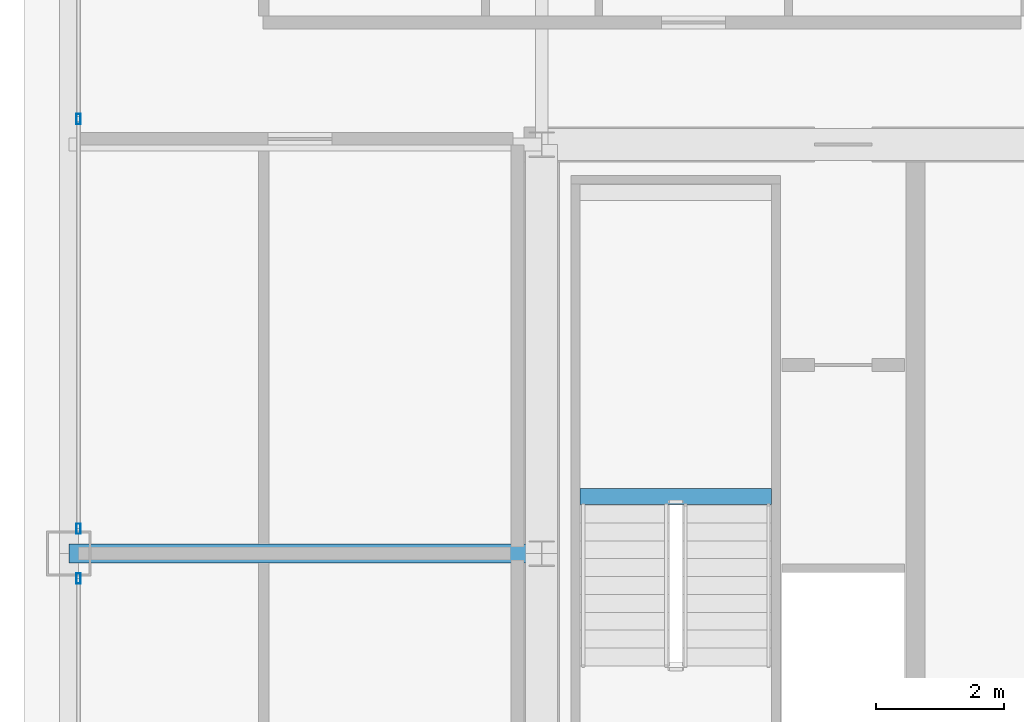
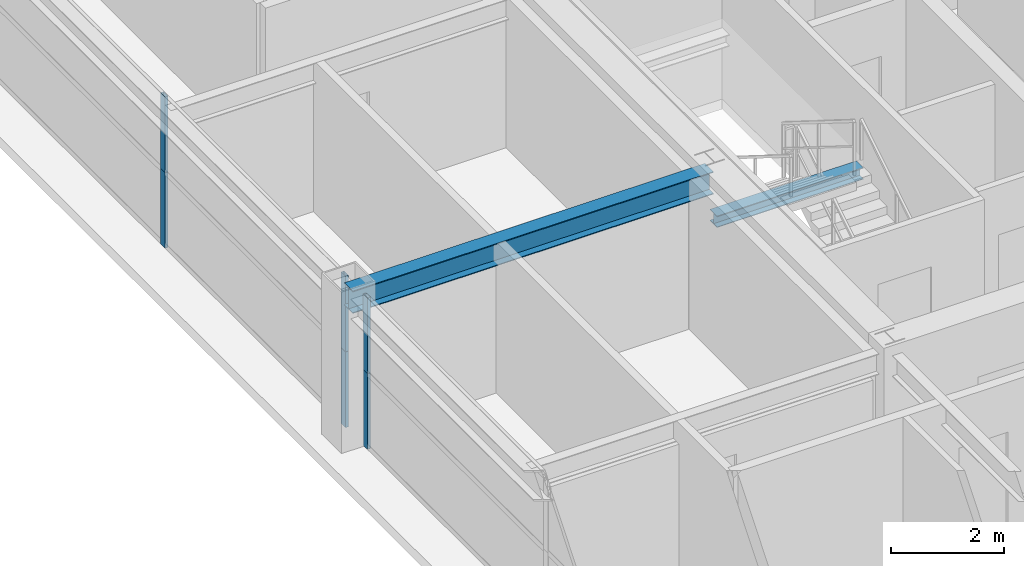
# One storey, part 13 of 37: 6 members, 2 beams, 2 elements without a shape of their own.
"""IFC4 building model written with IfcOpenShell, lengths in metres."""

from ifc_helpers import new_model, si_unit, direction, frame, origin, origin_2d, place, context, subcontext, project, spatial, hollow_rectangle, i_section, extrude, source, transform, mapped, material, layer, layer_set, material_profile, profile_set, type_object, element, aggregate, save


model = new_model("IFC4")

# Units and contexts
model_context = context("Model", 3, precision=1e-05, world=origin(), true_north=direction((0.0, 1.0)))
body_context = subcontext(model_context, "Body", "Model", "MODEL_VIEW")
ifc_project = project(units=[si_unit("LENGTHUNIT", "METRE"), si_unit("AREAUNIT", "SQUARE_METRE"), si_unit("VOLUMEUNIT", "CUBIC_METRE"), si_unit("PLANEANGLEUNIT", "RADIAN"), si_unit("MASSUNIT", "GRAM", prefix="KILO"), si_unit("THERMODYNAMICTEMPERATUREUNIT", "KELVIN"), si_unit("POWERUNIT", "WATT")], contexts=[model_context])

# Site, building, storey
site_placement = place(None, origin())
site = spatial("IfcSite", under=ifc_project, at=site_placement, CompositionType="ELEMENT")
building_placement = place(site_placement, origin())
building = spatial("IfcBuilding", under=site, at=building_placement, Name="Yuzanri Waterfront Tower", CompositionType="ELEMENT")
storey_placement = place(building_placement, frame((0.0, 0.0, 252.10009765625)))
storey = spatial("IfcBuildingStorey", under=building, at=storey_placement, Name="L67", CompositionType="ELEMENT", Elevation=252.10009765625)

# Beam
ifc_material_1 = material(Name="Steel Q355B", Category="steel")
ifc_material_profile_1 = material_profile(ifc_material_1, i_section(OverallWidth=0.300048828125, OverallDepth=0.488037109375, WebThickness=0.010986328125, FlangeThickness=0.01806640625, at=origin_2d()), Name="HM 488x300x11x18")
ifc_profile_set_1 = profile_set([ifc_material_profile_1], Name="Steel Q355B")
beam_type_1 = type_object("IfcBeamType", Name="Primary Floor Girder Q355B HM 488x300", PredefinedType="BEAM", material=ifc_profile_set_1)
shared_shape_1 = source(origin(), body_context, "Body", "SweptSolid", [
    extrude(i_section(OverallWidth=0.300048828125, OverallDepth=0.488037109375, WebThickness=0.010986328125, FlangeThickness=0.01806640625, at=origin_2d()), origin(), (0.0, 0.0, 1.0), 7.400146484375),
])
beam_1_placement = place(storey_placement, frame((23.800048828125, 25.800048828125, 3.035888671875), z_axis=(-1.0, 0.0, 0.0), x_axis=(0.0, -1.0, 0.0)))
element("IfcBeam", 1, at=beam_1_placement, inside=storey, type_object=beam_type_1, Name="L67 West Grid Girder", PredefinedType="BEAM", context=body_context, shape_type="MappedRepresentation", body=[
    mapped(shared_shape_1, transform((0.0, 0.0, 0.0), scale=1.0)),
])

# Curtain wall, members
ifc_material_2 = material(Name="Anodized Architectural Bronze", Category="metal")
ifc_layer = layer(ifc_material_2, 0.159912109375)
ifc_layer_set = layer_set([ifc_layer], Name="Anodized Architectural Bronze")
curtain_wall_type = type_object("IfcCurtainWallType", Name="Anodized Bronze Mid-Rise Residential Acoustic Unitized Curtain Wall 7200", PredefinedType="NOTDEFINED", material=ifc_layer_set)
curtain_wall_1_placement = place(storey_placement, origin())
curtain_wall_1 = element("IfcCurtainWall", 2, at=curtain_wall_1_placement, inside=storey, type_object=curtain_wall_type, Name="L67 Curtain Wall CW-L67-WL", PredefinedType="NOTDEFINED")
ifc_material_3 = material(Name="Anodized Architectural Bronze", Category="metal")
ifc_material_profile_2 = material_profile(ifc_material_3, hollow_rectangle(XDim=0.06494140625, YDim=0.159912109375, WallThickness=0.00341796875, at=origin_2d()), Name="CWM 65x160")
ifc_profile_set_2 = profile_set([ifc_material_profile_2], Name="Anodized Architectural Bronze")
member_type = type_object("IfcMemberType", Name="Anodized Bronze Upper-Zone Curtain-Wall Mullion 65x160", PredefinedType="MULLION", material=ifc_profile_set_2)
shared_shape_2 = source(origin(), body_context, "Body", "SweptSolid", [
    extrude(hollow_rectangle(XDim=0.06494140625, YDim=0.159912109375, WallThickness=0.00341796875, at=origin_2d()), origin(), (0.0, 0.0, 1.0), 1.637939453125),
])
member_1_placement = place(storey_placement, frame((16.550048828125, 25.409912109375, 0.0), z_axis=(0.0, 0.0, 1.0), x_axis=(1.0, 0.0, 0.0)))
member_1 = element("IfcMember", 3, at=member_1_placement, type_object=member_type, Name="CW-L67-WL Lower Mullion 02", PredefinedType="MULLION", context=body_context, shape_type="MappedRepresentation", body=[
    mapped(shared_shape_2, transform((0.0, 0.0, 0.0), scale=1.0)),
])
member_2_placement = place(storey_placement, frame((16.550048828125, 25.409912109375, 1.641845703125), z_axis=(0.0, 0.0, 1.0), x_axis=(1.0, 0.0, 0.0)))
member_2 = element("IfcMember", 4, at=member_2_placement, type_object=member_type, Name="CW-L67-WL Upper Mullion 02", PredefinedType="MULLION", context=body_context, shape_type="MappedRepresentation", body=[
    mapped(shared_shape_2, transform((0.0, 0.0, 0.0), scale=1.0)),
])
aggregate(curtain_wall_1, [member_1, member_2])

curtain_wall_2_placement = place(storey_placement, origin())
curtain_wall_2 = element("IfcCurtainWall", 5, at=curtain_wall_2_placement, inside=storey, type_object=curtain_wall_type, Name="L67 Curtain Wall CW-L67-WR", PredefinedType="NOTDEFINED")
member_3_placement = place(storey_placement, frame((16.550048828125, 26.18994140625, 0.0), z_axis=(0.0, 0.0, 1.0), x_axis=(1.0, 0.0, 0.0)))
member_3 = element("IfcMember", 6, at=member_3_placement, type_object=member_type, Name="CW-L67-WR Lower Mullion 00", PredefinedType="MULLION", context=body_context, shape_type="MappedRepresentation", body=[
    mapped(shared_shape_2, transform((0.0, 0.0, 0.0), scale=1.0)),
])
member_4_placement = place(storey_placement, frame((16.550048828125, 26.18994140625, 1.641845703125), z_axis=(0.0, 0.0, 1.0), x_axis=(1.0, 0.0, 0.0)))
member_4 = element("IfcMember", 7, at=member_4_placement, type_object=member_type, Name="CW-L67-WR Upper Mullion 00", PredefinedType="MULLION", context=body_context, shape_type="MappedRepresentation", body=[
    mapped(shared_shape_2, transform((0.0, 0.0, 0.0), scale=1.0)),
])
member_5_placement = place(storey_placement, frame((16.550048828125, 32.60009765625, 0.0), z_axis=(0.0, 0.0, 1.0), x_axis=(1.0, 0.0, 0.0)))
member_5 = element("IfcMember", 8, at=member_5_placement, type_object=member_type, Name="CW-L67-WR Lower Mullion 01", PredefinedType="MULLION", context=body_context, shape_type="MappedRepresentation", body=[
    mapped(shared_shape_2, transform((0.0, 0.0, 0.0), scale=1.0)),
])
member_6_placement = place(storey_placement, frame((16.550048828125, 32.60009765625, 1.641845703125), z_axis=(0.0, 0.0, 1.0), x_axis=(1.0, 0.0, 0.0)))
member_6 = element("IfcMember", 9, at=member_6_placement, type_object=member_type, Name="CW-L67-WR Upper Mullion 01", PredefinedType="MULLION", context=body_context, shape_type="MappedRepresentation", body=[
    mapped(shared_shape_2, transform((0.0, 0.0, 0.0), scale=1.0)),
])
aggregate(curtain_wall_2, [member_3, member_4, member_5, member_6])

# Beam
ifc_material_4 = material(Name="Steel Q355B", Category="steel")
ifc_material_profile_3 = material_profile(ifc_material_4, i_section(OverallWidth=0.25, OverallDepth=0.25, WebThickness=0.009033203125, FlangeThickness=0.013916015625, at=origin_2d()), Name="HW 250x250x9x14")
ifc_profile_set_3 = profile_set([ifc_material_profile_3], Name="Steel Q355B")
beam_type_2 = type_object("IfcBeamType", Name="Stair Landing Support Beam Q355B HW 250x250", PredefinedType="BEAM", material=ifc_profile_set_3)
shared_shape_3 = source(origin(), body_context, "Body", "SweptSolid", [
    extrude(i_section(OverallWidth=0.25, OverallDepth=0.25, WebThickness=0.009033203125, FlangeThickness=0.013916015625, at=origin_2d()), origin(), (0.0, 0.0, 1.0), 3.0),
])
beam_2_placement = place(storey_placement, frame((24.39990234375, 26.68994140625, 1.4248046875), z_axis=(1.0, 0.0, 0.0), x_axis=(0.0, 1.0, 0.0)))
element("IfcBeam", 10, at=beam_2_placement, inside=storey, type_object=beam_type_2, Name="L67 Stair Landing Support Beam ST-01-L67-L1-1", PredefinedType="BEAM", context=body_context, shape_type="MappedRepresentation", body=[
    mapped(shared_shape_3, transform((0.0, 0.0, 0.0), scale=1.0)),
])

save(model, "model.ifc")
